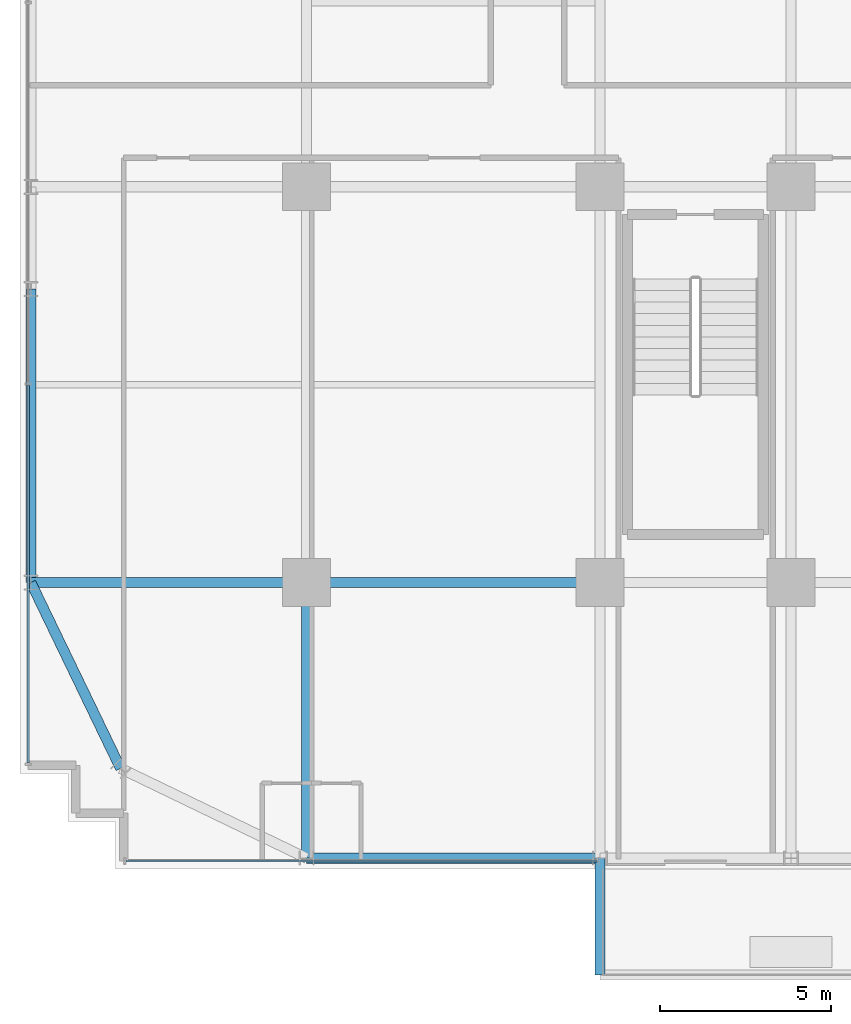
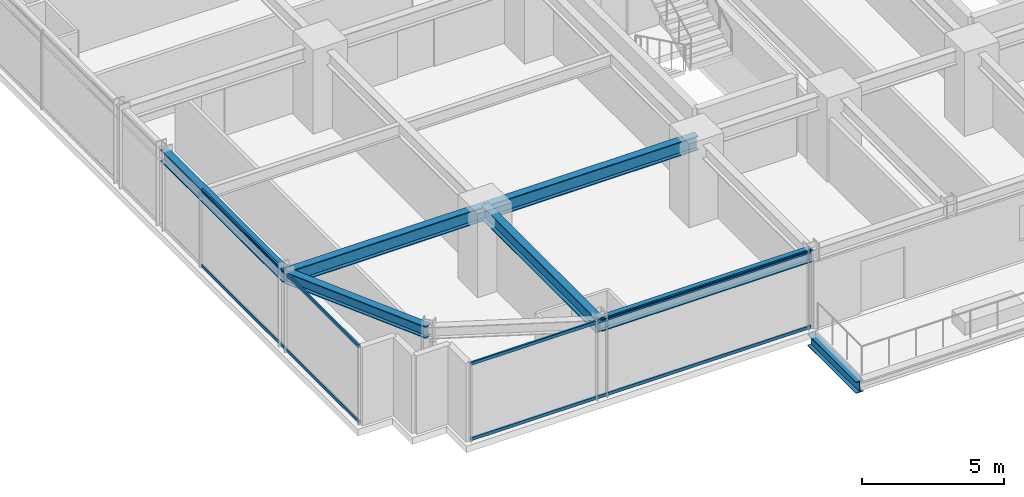
# One storey, part 4 of 36: 7 beams, 4 members, 2 elements without a shape of their own.
"""IFC4 building model written with IfcOpenShell, lengths in metres."""

from ifc_helpers import new_model, si_unit, direction, frame, origin, origin_2d, place, context, subcontext, project, spatial, hollow_rectangle, i_section, extrude, source, transform, mapped, material, material_profile, profile_set, type_object, element, aggregate, save


model = new_model("IFC4")

# Units and contexts
model_context = context("Model", 3, precision=1e-05, world=origin(), true_north=direction((0.0, 1.0)))
body_context = subcontext(model_context, "Body", "Model", "MODEL_VIEW")
ifc_project = project(units=[si_unit("LENGTHUNIT", "METRE"), si_unit("AREAUNIT", "SQUARE_METRE"), si_unit("VOLUMEUNIT", "CUBIC_METRE"), si_unit("PLANEANGLEUNIT", "RADIAN"), si_unit("MASSUNIT", "GRAM", prefix="KILO")], contexts=[model_context])

# Site, building, storey
site_placement = place(None, origin())
site = spatial("IfcSite", under=ifc_project, at=site_placement, CompositionType="ELEMENT")
building_placement = place(site_placement, origin())
building = spatial("IfcBuilding", under=site, at=building_placement, Name="Nahalor Promenade Grand Hotel", CompositionType="ELEMENT")
storey_placement = place(building_placement, frame((0.0, 0.0, 72.550048828125)))
storey = spatial("IfcBuildingStorey", under=building, at=storey_placement, Name="L17", CompositionType="ELEMENT", Elevation=72.550048828125)

# Beams
ifc_material_1 = material(Name="Steel S355JR", Category="steel")
ifc_material_profile_1 = material_profile(ifc_material_1, i_section(OverallWidth=0.3, OverallDepth=0.5, WebThickness=0.0145, FlangeThickness=0.028, at=origin_2d()), Name="HEB 500")
ifc_profile_set_1 = profile_set([ifc_material_profile_1], Name="Steel S355JR")
beam_type_1 = type_object("IfcBeamType", Name="Beam-Outrigger-HEB500", PredefinedType="BEAM", material=ifc_profile_set_1)
shared_shape_1 = source(origin(), body_context, "Body", "SweptSolid", [
    extrude(i_section(OverallWidth=0.3, OverallDepth=0.5, WebThickness=0.0145, FlangeThickness=0.028, at=origin_2d()), origin(), (0.0, 0.0, 1.0), 3.419921875),
])
beam_1_placement = place(storey_placement, frame((-8.39990234375, -28.5, -0.530029296875), z_axis=(0.0, 1.0, 0.0), x_axis=(-1.0, 0.0, 0.0)))
element("IfcBeam", 1, at=beam_1_placement, inside=storey, type_object=beam_type_1, Name="BM-L17-BC-01-1", PredefinedType="BEAM", context=body_context, shape_type="MappedRepresentation", body=[
    mapped(shared_shape_1, transform((0.0, 0.0, 0.0), scale=1.0)),
])
ifc_material_profile_2 = material_profile(ifc_material_1, i_section(OverallWidth=0.3, OverallDepth=0.6, WebThickness=0.0155, FlangeThickness=0.03, at=origin_2d()), Name="HEB 600")
ifc_profile_set_2 = profile_set([ifc_material_profile_2], Name="Steel S355JR")
beam_type_2 = type_object("IfcBeamType", Name="Beam-Girder-HEB600", PredefinedType="BEAM", material=ifc_profile_set_2)
shared_shape_2 = source(origin(), body_context, "Body", "SweptSolid", [
    extrude(i_section(OverallWidth=0.3, OverallDepth=0.6, WebThickness=0.0155, FlangeThickness=0.03, at=origin_2d()), origin(), (0.0, 0.0, 1.0), 8.60009765625),
])
beam_2_placement = place(storey_placement, frame((-17.0, -17.0, 3.070068359375), z_axis=(1.0, 0.0, 0.0), x_axis=(0.0, 1.0, 0.0)))
element("IfcBeam", 2, at=beam_2_placement, inside=storey, type_object=beam_type_2, Name="BM-L17-GX-0-1", PredefinedType="BEAM", context=body_context, shape_type="MappedRepresentation", body=[
    mapped(shared_shape_2, transform((0.0, 0.0, 0.0), scale=1.0)),
])
ifc_material_profile_3 = material_profile(ifc_material_1, i_section(OverallWidth=0.3, OverallDepth=0.5, WebThickness=0.0145, FlangeThickness=0.028, at=origin_2d()), Name="HEB 500")
ifc_profile_set_3 = profile_set([ifc_material_profile_3], Name="Steel S355JR")
beam_type_3 = type_object("IfcBeamType", Name="Beam-Spandrel-HEB500", PredefinedType="SPANDREL", material=ifc_profile_set_3)
shared_shape_3 = source(origin(), body_context, "Body", "SweptSolid", [
    extrude(i_section(OverallWidth=0.3, OverallDepth=0.5, WebThickness=0.0145, FlangeThickness=0.028, at=origin_2d()), origin(), (0.0, 0.0, 1.0), 8.60009765625),
])
for number, where, z_axis, x_axis, name in (
    (3, (-17.0, -25.080078125, 3.119873046875), (1.0, 0.0, 0.0), (0.0, 1.0, 0.0), "BM-L17-SP-S-0"),
    (4, (-25.080078125, -17.0, 3.119873046875), (0.0, 1.0, 0.0), (-1.0, 0.0, 0.0), "BM-L17-SP-W-0"),
):
    element("IfcBeam", number, at=place(storey_placement, frame(where, z_axis=z_axis, x_axis=x_axis)), inside=storey, type_object=beam_type_3, Name=name, PredefinedType="SPANDREL", context=body_context, shape_type="MappedRepresentation", body=[
        mapped(shared_shape_3, transform((0.0, 0.0, 0.0), scale=1.0)),
    ])
shared_shape_4 = source(origin(), body_context, "Body", "SweptSolid", [
    extrude(i_section(OverallWidth=0.3, OverallDepth=0.6, WebThickness=0.0155, FlangeThickness=0.03, at=origin_2d()), origin(), (0.0, 0.0, 1.0), 8.080078125),
])
for number, where, z_axis, x_axis, name in (
    (5, (-25.080078125, -17.0, 3.070068359375), (1.0, 0.0, 0.0), (0.0, 1.0, 0.0), "BM-L17-GX-0-0"),
    (6, (-17.0, -25.080078125, 3.070068359375), (0.0, 1.0, 0.0), (-1.0, 0.0, 0.0), "BM-L17-GY-0-0"),
):
    element("IfcBeam", number, at=place(storey_placement, frame(where, z_axis=z_axis, x_axis=x_axis)), inside=storey, type_object=beam_type_2, Name=name, PredefinedType="BEAM", context=body_context, shape_type="MappedRepresentation", body=[
        mapped(shared_shape_4, transform((0.0, 0.0, 0.0), scale=1.0)),
    ])
shared_shape_5 = source(origin(), body_context, "Body", "SweptSolid", [
    extrude(i_section(OverallWidth=0.3, OverallDepth=0.5, WebThickness=0.0145, FlangeThickness=0.028, at=origin_2d()), origin(), (0.0, 0.0, 1.0), 6.051513671875),
])
beam_3_placement = place(storey_placement, frame((-22.449951171875, -22.449951171875, 3.119873046875), z_axis=(-0.434630596492, 0.900608818852, 0.0), x_axis=(-0.900608818852, -0.434630596492, 0.0)))
element("IfcBeam", 7, at=beam_3_placement, inside=storey, type_object=beam_type_3, Name="BM-L17-SPC-SW-2", PredefinedType="SPANDREL", context=body_context, shape_type="MappedRepresentation", body=[
    mapped(shared_shape_5, transform((0.0, 0.0, 0.0), scale=1.0)),
])

# Curtain wall, members
ifc_material_2 = material(Name="Anodised Bronze Aluminium EN AW-6063 T6", Category="aluminium")
curtain_wall_type = type_object("IfcCurtainWallType", Name="CW2 Typical Hotel Flush Bronze Unitised Curtain Wall", PredefinedType="USERDEFINED", material=ifc_material_2)
curtain_wall_1_placement = place(storey_placement, origin())
curtain_wall_1 = element("IfcCurtainWall", 8, at=curtain_wall_1_placement, inside=storey, type_object=curtain_wall_type, Name="L17 Curtain Wall CW-L17-W-1", ObjectType="UNITISED_CURTAIN_WALL", PredefinedType="USERDEFINED")
ifc_material_profile_4 = material_profile(ifc_material_2, hollow_rectangle(XDim=0.065, YDim=0.13, WallThickness=0.004, at=origin_2d()), Name="CWT 65x130x4")
ifc_profile_set_4 = profile_set([ifc_material_profile_4], Name="Anodised Bronze Aluminium EN AW-6063 T6")
member_type = type_object("IfcMemberType", Name="CWT2 Typical Bronze Transom 65x130", PredefinedType="USERDEFINED", material=ifc_profile_set_4)
shared_shape_6 = source(origin(), body_context, "Body", "SweptSolid", [
    extrude(hollow_rectangle(XDim=0.065, YDim=0.13, WallThickness=0.004, at=origin_2d()), origin(), (0.0, 0.0, 1.0), 11.08251953125),
])
member_1_placement = place(storey_placement, frame((-25.159912109375, -22.294921875, 0.06494140625), z_axis=(0.0, 1.0, 0.0), x_axis=(-1.0, 0.0, 0.0)))
member_1 = element("IfcMember", 9, at=member_1_placement, type_object=member_type, Name="CW-L17-W-1 Transom 0-0", ObjectType="TRANSOM", PredefinedType="USERDEFINED", context=body_context, shape_type="MappedRepresentation", body=[
    mapped(shared_shape_6, transform((0.0, 0.0, 0.0), scale=1.0)),
])
member_2_placement = place(storey_placement, frame((-25.159912109375, -22.294921875, 3.304931640625), z_axis=(0.0, 1.0, 0.0), x_axis=(-1.0, 0.0, 0.0)))
member_2 = element("IfcMember", 10, at=member_2_placement, type_object=member_type, Name="CW-L17-W-1 Transom 0-1", ObjectType="TRANSOM", PredefinedType="USERDEFINED", context=body_context, shape_type="MappedRepresentation", body=[
    mapped(shared_shape_6, transform((0.0, 0.0, 0.0), scale=1.0)),
])
aggregate(curtain_wall_1, [member_1, member_2])

curtain_wall_2_placement = place(storey_placement, origin())
curtain_wall_2 = element("IfcCurtainWall", 11, at=curtain_wall_2_placement, inside=storey, type_object=curtain_wall_type, Name="L17 Curtain Wall CW-L17-S-1", ObjectType="UNITISED_CURTAIN_WALL", PredefinedType="USERDEFINED")
shared_shape_7 = source(origin(), body_context, "Body", "SweptSolid", [
    extrude(hollow_rectangle(XDim=0.065, YDim=0.13, WallThickness=0.004, at=origin_2d()), origin(), (0.0, 0.0, 1.0), 13.829833984375),
])
member_3_placement = place(storey_placement, frame((-22.294921875, -25.159912109375, 0.06494140625), z_axis=(1.0, 0.0, 0.0), x_axis=(0.0, 1.0, 0.0)))
member_3 = element("IfcMember", 12, at=member_3_placement, type_object=member_type, Name="CW-L17-S-1 Transom 0-0", ObjectType="TRANSOM", PredefinedType="USERDEFINED", context=body_context, shape_type="MappedRepresentation", body=[
    mapped(shared_shape_7, transform((0.0, 0.0, 0.0), scale=1.0)),
])
member_4_placement = place(storey_placement, frame((-22.294921875, -25.159912109375, 3.304931640625), z_axis=(1.0, 0.0, 0.0), x_axis=(0.0, 1.0, 0.0)))
member_4 = element("IfcMember", 13, at=member_4_placement, type_object=member_type, Name="CW-L17-S-1 Transom 0-1", ObjectType="TRANSOM", PredefinedType="USERDEFINED", context=body_context, shape_type="MappedRepresentation", body=[
    mapped(shared_shape_7, transform((0.0, 0.0, 0.0), scale=1.0)),
])
aggregate(curtain_wall_2, [member_3, member_4])

save(model, "model.ifc")
